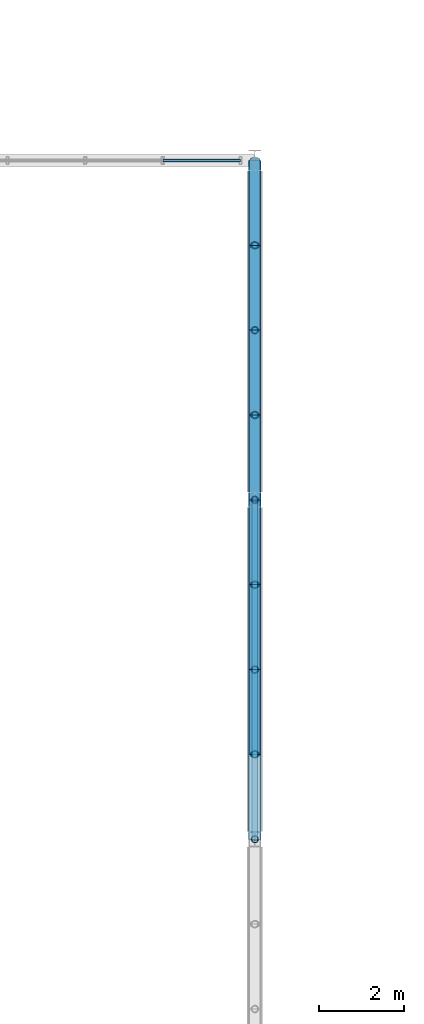
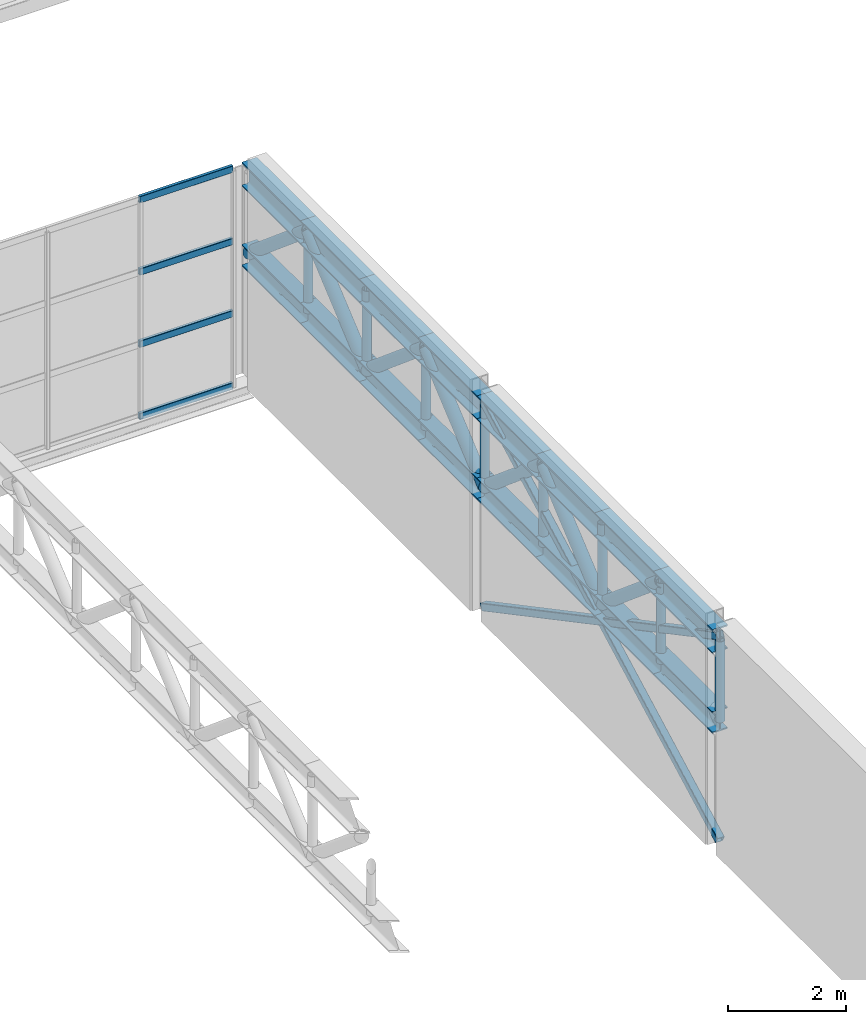
# One storey, part 97 of 143: 37 members, 1 element without a shape of its own.
"""IFC4 building model written with IfcOpenShell, lengths in metres."""

from ifc_helpers import new_model, si_unit, derived_unit, direction, frame, origin, origin_2d, place, context, subcontext, project, spatial, hollow_rectangle, hollow_circle, i_section, extrude, material, material_profile, profile_set, type_object, element, aggregate, save


model = new_model("IFC4")

# Units and contexts
model_context = context("Model", 3, precision=1e-05, world=origin(), true_north=direction((0.0, 1.0)))
body_context = subcontext(model_context, "Body", "Model", "MODEL_VIEW")
ifc_project = project(units=[si_unit("LENGTHUNIT", "METRE"), si_unit("AREAUNIT", "SQUARE_METRE"), si_unit("VOLUMEUNIT", "CUBIC_METRE"), si_unit("PLANEANGLEUNIT", "RADIAN"), si_unit("MASSUNIT", "GRAM", prefix="KILO"), derived_unit("THERMALTRANSMITTANCEUNIT", [(si_unit("POWERUNIT", "WATT"), 1), (si_unit("LENGTHUNIT", "METRE"), -2), (si_unit("THERMODYNAMICTEMPERATUREUNIT", "KELVIN"), -1)])], contexts=[model_context])

# Site, building, storey
site_placement = place(None, origin())
site = spatial("IfcSite", under=ifc_project, at=site_placement, CompositionType="ELEMENT")
building_placement = place(site_placement, origin())
building = spatial("IfcBuilding", under=site, at=building_placement, Name="Keldorne Ridge Multi-Sports Centre", CompositionType="ELEMENT")
storey_placement = place(building_placement, frame((0.0, 0.0, 4.800048828125)))
storey = spatial("IfcBuildingStorey", under=building, at=storey_placement, Name="L01", CompositionType="ELEMENT", Elevation=4.800048828125)

# Members
ifc_material_1 = material(Name="Steel S355", Category="steel")
ifc_material_profile_1 = material_profile(ifc_material_1, i_section(OverallWidth=0.300048828125, OverallDepth=0.5, WebThickness=0.014404296875, FlangeThickness=0.028076171875, FilletRadius=0.027099609375, at=origin_2d()), Name="HEB 500")
ifc_profile_set_1 = profile_set([ifc_material_profile_1], Name="Steel S355")
member_type_1 = type_object("IfcMemberType", Name="MEM-TC-03", PredefinedType="CHORD", material=ifc_profile_set_1)
for number, where, z_axis, x_axis, name in (
    (1, (168.0, 38.0, 4.31005859375), (0.0, 1.0, 0.0), (-1.0, 0.0, 0.0), "Stacked Courts Warren TRUSS WT-L02-09 top chord 17"),
    (2, (168.0, 40.0, 4.31005859375), (0.0, 1.0, 0.0), (-1.0, 0.0, 0.0), "Stacked Courts Warren TRUSS WT-L02-09 top chord 18"),
    (3, (168.0, 42.0, 4.31005859375), (0.0, 1.0, 0.0), (-1.0, 0.0, 0.0), "Stacked Courts Warren TRUSS WT-L02-09 top chord 19"),
    (4, (168.0, 44.0, 4.31005859375), (0.0, 1.0, 0.0), (-1.0, 0.0, 0.0), "Stacked Courts Warren TRUSS WT-L02-09 top chord 20"),
    (5, (168.0, 46.0, 4.31005859375), (0.0, 1.0, 0.0), (-1.0, 0.0, 0.0), "Stacked Courts Warren TRUSS WT-L02-09 top chord 21"),
    (6, (168.0, 48.0, 4.31005859375), (0.0, 1.0, 0.0), (-1.0, 0.0, 0.0), "Stacked Courts Warren TRUSS WT-L02-09 top chord 22"),
    (7, (168.0, 50.0, 4.31005859375), (0.0, 1.0, 0.0), (-1.0, 0.0, 0.0), "Stacked Courts Warren TRUSS WT-L02-09 top chord 23"),
    (8, (168.0, 52.0, 4.31005859375), (0.0, 1.0, 0.0), (-1.0, 0.0, 0.0), "Stacked Courts Warren TRUSS WT-L02-09 top chord 24"),
):
    element("IfcMember", number, at=place(storey_placement, frame(where, z_axis=z_axis, x_axis=x_axis)), inside=storey, type_object=member_type_1, Name=name, PredefinedType="CHORD", context=body_context, shape_type="SweptSolid", body=[
        extrude(i_section(OverallWidth=0.300048828125, OverallDepth=0.5, WebThickness=0.014404296875, FlangeThickness=0.028076171875, FilletRadius=0.027099609375, at=origin_2d()), origin(), (0.0, 0.0, 1.0), 2.0),
    ])
ifc_material_profile_2 = material_profile(ifc_material_1, i_section(OverallWidth=0.300048828125, OverallDepth=0.449951171875, WebThickness=0.013916015625, FlangeThickness=0.02587890625, FilletRadius=0.027099609375, at=origin_2d()), Name="HEB 450")
ifc_profile_set_2 = profile_set([ifc_material_profile_2], Name="Steel S355")
member_type_2 = type_object("IfcMemberType", Name="MEM-TC-04", PredefinedType="CHORD", material=ifc_profile_set_2)
for number, where, z_axis, x_axis, name in (
    (9, (168.0, 38.0, 2.6298828125), (0.0, 1.0, 0.0), (-1.0, 0.0, 0.0), "Stacked Courts Warren TRUSS WT-L02-09 bottom chord 17"),
    (10, (168.0, 40.0, 2.6298828125), (0.0, 1.0, 0.0), (-1.0, 0.0, 0.0), "Stacked Courts Warren TRUSS WT-L02-09 bottom chord 18"),
    (11, (168.0, 42.0, 2.6298828125), (0.0, 1.0, 0.0), (-1.0, 0.0, 0.0), "Stacked Courts Warren TRUSS WT-L02-09 bottom chord 19"),
    (12, (168.0, 44.0, 2.6298828125), (0.0, 1.0, 0.0), (-1.0, 0.0, 0.0), "Stacked Courts Warren TRUSS WT-L02-09 bottom chord 20"),
    (13, (168.0, 46.0, 2.6298828125), (0.0, 1.0, 0.0), (-1.0, 0.0, 0.0), "Stacked Courts Warren TRUSS WT-L02-09 bottom chord 21"),
    (14, (168.0, 48.0, 2.6298828125), (0.0, 1.0, 0.0), (-1.0, 0.0, 0.0), "Stacked Courts Warren TRUSS WT-L02-09 bottom chord 22"),
    (15, (168.0, 50.0, 2.6298828125), (0.0, 1.0, 0.0), (-1.0, 0.0, 0.0), "Stacked Courts Warren TRUSS WT-L02-09 bottom chord 23"),
    (16, (168.0, 52.0, 2.6298828125), (0.0, 1.0, 0.0), (-1.0, 0.0, 0.0), "Stacked Courts Warren TRUSS WT-L02-09 bottom chord 24"),
):
    element("IfcMember", number, at=place(storey_placement, frame(where, z_axis=z_axis, x_axis=x_axis)), inside=storey, type_object=member_type_2, Name=name, PredefinedType="CHORD", context=body_context, shape_type="SweptSolid", body=[
        extrude(i_section(OverallWidth=0.300048828125, OverallDepth=0.449951171875, WebThickness=0.013916015625, FlangeThickness=0.02587890625, FilletRadius=0.027099609375, at=origin_2d()), origin(), (0.0, 0.0, 1.0), 2.0),
    ])
ifc_material_profile_3 = material_profile(ifc_material_1, hollow_circle(Radius=0.122314453125, WallThickness=0.012451171875, at=origin_2d()), Name="CHS 244.5x12.5")
ifc_profile_set_3 = profile_set([ifc_material_profile_3], Name="Steel S355")
member_type_3 = type_object("IfcMemberType", Name="MEM-TD-02", PredefinedType="BRACE", material=ifc_profile_set_3)
for number, where, z_axis, x_axis, name in (
    (17, (168.0, 40.0, 4.31005859375), (0.0, 0.765671721121, -0.643231541108), (-1.0, 0.0, 0.0), "Stacked Courts Warren TRUSS WT-L02-09 diagonal 18"),
    (18, (168.0, 42.0, 2.6298828125), (0.0, 0.765671721121, 0.643231541108), (-1.0, 0.0, 0.0), "Stacked Courts Warren TRUSS WT-L02-09 diagonal 19"),
    (19, (168.0, 44.0, 4.31005859375), (0.0, 0.765671721121, -0.643231541108), (-1.0, 0.0, 0.0), "Stacked Courts Warren TRUSS WT-L02-09 diagonal 20"),
    (20, (168.0, 46.0, 2.6298828125), (0.0, 0.765671721121, 0.643231541108), (-1.0, 0.0, 0.0), "Stacked Courts Warren TRUSS WT-L02-09 diagonal 21"),
    (21, (168.0, 48.0, 4.31005859375), (0.0, 0.765671721121, -0.643231541108), (-1.0, 0.0, 0.0), "Stacked Courts Warren TRUSS WT-L02-09 diagonal 22"),
    (22, (168.0, 50.0, 2.6298828125), (0.0, 0.765671721121, 0.643231541108), (-1.0, 0.0, 0.0), "Stacked Courts Warren TRUSS WT-L02-09 diagonal 23"),
    (23, (168.0, 52.0, 4.31005859375), (0.0, 0.765671721121, -0.643231541108), (-1.0, 0.0, 0.0), "Stacked Courts Warren TRUSS WT-L02-09 diagonal 24"),
):
    element("IfcMember", number, at=place(storey_placement, frame(where, z_axis=z_axis, x_axis=x_axis)), inside=storey, type_object=member_type_3, Name=name, PredefinedType="BRACE", context=body_context, shape_type="SweptSolid", body=[
        extrude(hollow_circle(Radius=0.122314453125, WallThickness=0.012451171875, at=origin_2d()), origin(), (0.0, 0.0, 1.0), 2.612060546875),
    ])

# Curtain wall, members
ifc_material_2 = material(Name="Anodized aluminium", Category="aluminium")
curtain_wall_type = type_object("IfcCurtainWallType", Name="CW-CW-08", PredefinedType="NOTDEFINED", material=ifc_material_2)
curtain_wall_placement = place(storey_placement, origin())
curtain_wall = element("IfcCurtainWall", 24, at=curtain_wall_placement, inside=storey, type_object=curtain_wall_type, Name="Lower Courts north clerestory 136", PredefinedType="NOTDEFINED")
ifc_material_profile_4 = material_profile(ifc_material_2, hollow_rectangle(XDim=0.06494140625, YDim=0.139892578125, WallThickness=0.00439453125, InnerFilletRadius=0.00439453125, OuterFilletRadius=0.009033203125, at=origin_2d()), Name="ALU TRANSOM 140x65x4.5")
ifc_profile_set_4 = profile_set([ifc_material_profile_4], Name="Anodized aluminium")
member_type_4 = type_object("IfcMemberType", Name="MEM-TR-01", PredefinedType="USERDEFINED", material=ifc_profile_set_4)
member_1_placement = place(storey_placement, frame((167.659912109375, 54.0, 0.0), z_axis=(-1.0, 0.0, 0.0), x_axis=(0.0, -1.0, 0.0)))
member_1 = element("IfcMember", 25, at=member_1_placement, type_object=member_type_4, Name="CW-136 transom 1.1", ObjectType="TRANSOM", PredefinedType="USERDEFINED", context=body_context, shape_type="SweptSolid", body=[
    extrude(hollow_rectangle(XDim=0.06494140625, YDim=0.139892578125, WallThickness=0.00439453125, InnerFilletRadius=0.00439453125, OuterFilletRadius=0.009033203125, at=origin_2d()), origin(), (0.0, 0.0, 1.0), 1.829833984375),
])
member_2_placement = place(storey_placement, frame((167.659912109375, 54.0, 1.5), z_axis=(-1.0, 0.0, 0.0), x_axis=(0.0, -1.0, 0.0)))
member_2 = element("IfcMember", 26, at=member_2_placement, type_object=member_type_4, Name="CW-136 transom 1.2", ObjectType="TRANSOM", PredefinedType="USERDEFINED", context=body_context, shape_type="SweptSolid", body=[
    extrude(hollow_rectangle(XDim=0.06494140625, YDim=0.139892578125, WallThickness=0.00439453125, InnerFilletRadius=0.00439453125, OuterFilletRadius=0.009033203125, at=origin_2d()), origin(), (0.0, 0.0, 1.0), 1.829833984375),
])
member_3_placement = place(storey_placement, frame((167.659912109375, 54.0, 3.0), z_axis=(-1.0, 0.0, 0.0), x_axis=(0.0, -1.0, 0.0)))
member_3 = element("IfcMember", 27, at=member_3_placement, type_object=member_type_4, Name="CW-136 transom 1.3", ObjectType="TRANSOM", PredefinedType="USERDEFINED", context=body_context, shape_type="SweptSolid", body=[
    extrude(hollow_rectangle(XDim=0.06494140625, YDim=0.139892578125, WallThickness=0.00439453125, InnerFilletRadius=0.00439453125, OuterFilletRadius=0.009033203125, at=origin_2d()), origin(), (0.0, 0.0, 1.0), 1.829833984375),
])
member_4_placement = place(storey_placement, frame((167.659912109375, 54.0, 4.5), z_axis=(-1.0, 0.0, 0.0), x_axis=(0.0, -1.0, 0.0)))
member_4 = element("IfcMember", 28, at=member_4_placement, type_object=member_type_4, Name="CW-136 transom 1.4", ObjectType="TRANSOM", PredefinedType="USERDEFINED", context=body_context, shape_type="SweptSolid", body=[
    extrude(hollow_rectangle(XDim=0.06494140625, YDim=0.139892578125, WallThickness=0.00439453125, InnerFilletRadius=0.00439453125, OuterFilletRadius=0.009033203125, at=origin_2d()), origin(), (0.0, 0.0, 1.0), 1.829833984375),
])
aggregate(curtain_wall, [member_1, member_2, member_3, member_4])

# Members
ifc_material_profile_5 = material_profile(ifc_material_1, hollow_circle(Radius=0.084228515625, WallThickness=0.010009765625, at=origin_2d()), Name="CHS 168.3x10")
ifc_profile_set_5 = profile_set([ifc_material_profile_5], Name="Steel S355")
member_type_5 = type_object("IfcMemberType", Name="MEM-TV-01", PredefinedType="STRUT", material=ifc_profile_set_5)
for number, where, z_axis, x_axis, name in (
    (29, (168.0, 38.0, 2.6298828125), (0.0, 0.0, 1.0), (1.0, 0.0, 0.0), "Stacked Courts Warren TRUSS WT-L02-09 post 17"),
    (30, (168.0, 40.0, 2.6298828125), (0.0, 0.0, 1.0), (1.0, 0.0, 0.0), "Stacked Courts Warren TRUSS WT-L02-09 post 18"),
    (31, (168.0, 42.0, 2.6298828125), (0.0, 0.0, 1.0), (1.0, 0.0, 0.0), "Stacked Courts Warren TRUSS WT-L02-09 post 19"),
    (32, (168.0, 44.0, 2.6298828125), (0.0, 0.0, 1.0), (1.0, 0.0, 0.0), "Stacked Courts Warren TRUSS WT-L02-09 post 20"),
    (33, (168.0, 46.0, 2.6298828125), (0.0, 0.0, 1.0), (1.0, 0.0, 0.0), "Stacked Courts Warren TRUSS WT-L02-09 post 21"),
    (34, (168.0, 48.0, 2.6298828125), (0.0, 0.0, 1.0), (1.0, 0.0, 0.0), "Stacked Courts Warren TRUSS WT-L02-09 post 22"),
    (35, (168.0, 50.0, 2.6298828125), (0.0, 0.0, 1.0), (1.0, 0.0, 0.0), "Stacked Courts Warren TRUSS WT-L02-09 post 23"),
    (36, (168.0, 52.0, 2.6298828125), (0.0, 0.0, 1.0), (1.0, 0.0, 0.0), "Stacked Courts Warren TRUSS WT-L02-09 post 24"),
):
    element("IfcMember", number, at=place(storey_placement, frame(where, z_axis=z_axis, x_axis=x_axis)), inside=storey, type_object=member_type_5, Name=name, PredefinedType="STRUT", context=body_context, shape_type="SweptSolid", body=[
        extrude(hollow_circle(Radius=0.084228515625, WallThickness=0.010009765625, at=origin_2d()), origin(), (0.0, 0.0, 1.0), 1.68017578125),
    ])
ifc_material_profile_6 = material_profile(ifc_material_1, hollow_rectangle(XDim=0.14990234375, YDim=0.14990234375, WallThickness=0.010009765625, InnerFilletRadius=0.010009765625, OuterFilletRadius=0.02001953125, at=origin_2d()), Name="SHS 150x150x10")
ifc_profile_set_6 = profile_set([ifc_material_profile_6], Name="Steel S355")
member_type_6 = type_object("IfcMemberType", Name="MEM-WB-03", PredefinedType="BRACE", material=ifc_profile_set_6)
for number, where, z_axis, x_axis, name in (
    (37, (168.0, 38.0, 0.14990234375), (0.0, 0.883115719457, 0.469155225962), (-1.0, 0.0, 0.0), "Perimeter vertical X-brace V2E-L1-A"),
    (38, (168.0, 38.0, 4.39990234375), (0.0, 0.883115719457, -0.469155225962), (-1.0, 0.0, 0.0), "Perimeter vertical X-brace V2E-L1-B"),
):
    element("IfcMember", number, at=place(storey_placement, frame(where, z_axis=z_axis, x_axis=x_axis)), inside=storey, type_object=member_type_6, Name=name, PredefinedType="BRACE", context=body_context, shape_type="SweptSolid", body=[
        extrude(hollow_rectangle(XDim=0.14990234375, YDim=0.14990234375, WallThickness=0.010009765625, InnerFilletRadius=0.010009765625, OuterFilletRadius=0.02001953125, at=origin_2d()), origin(), (0.0, 0.0, 1.0), 9.058837890625),
    ])

save(model, "model.ifc")
